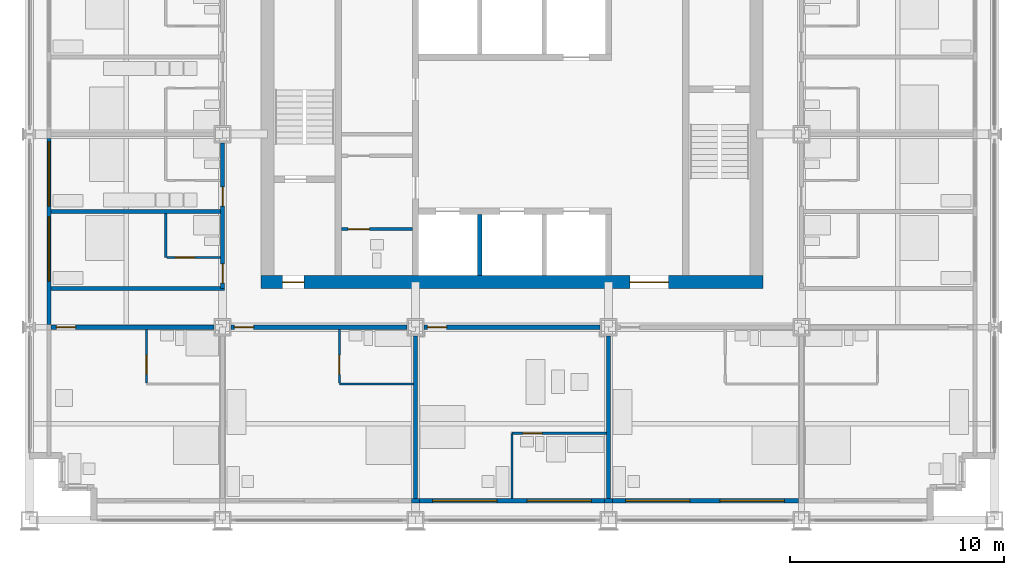
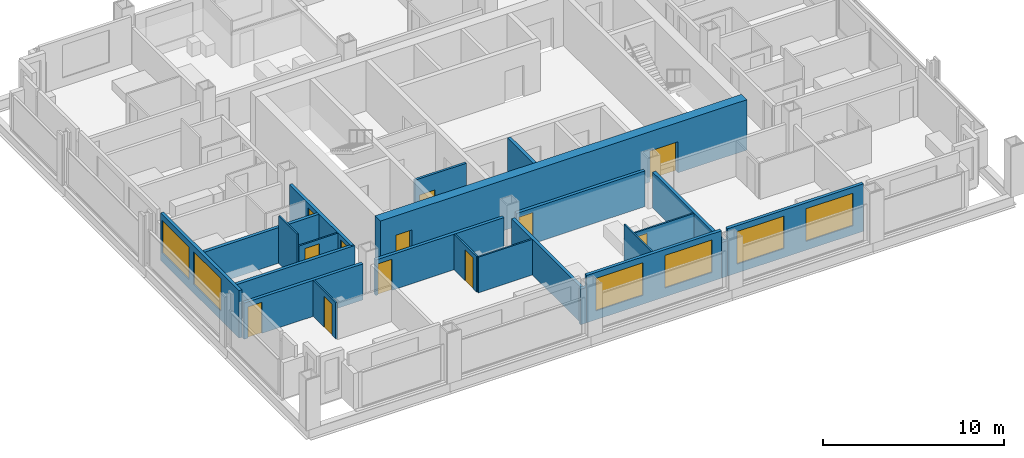
# One storey, part 9 of 16: 23 walls, 12 doors, 6 windows, 18 openings.
"""IFC4 building model written with IfcOpenShell, lengths in metres."""

from ifc_helpers import new_model, si_unit, direction, frame, frame_2d, origin, place, context, subcontext, project, spatial, rectangle, extrude, material, layer, layer_set, type_object, element, fill, save


model = new_model("IFC4")

# Units and contexts
model_context = context("Model", 3, precision=1e-05, world=origin(), true_north=direction((0.0, 1.0)))
body_context = subcontext(model_context, "Body", "Model", "MODEL_VIEW")
ifc_project = project(units=[si_unit("LENGTHUNIT", "METRE"), si_unit("AREAUNIT", "SQUARE_METRE"), si_unit("VOLUMEUNIT", "CUBIC_METRE"), si_unit("PLANEANGLEUNIT", "RADIAN"), si_unit("MASSUNIT", "GRAM", prefix="KILO")], contexts=[model_context])

# Site, building, storey
site_placement = place(None, origin())
site = spatial("IfcSite", under=ifc_project, at=site_placement, CompositionType="ELEMENT")
building_placement = place(site_placement, origin())
building = spatial("IfcBuilding", under=site, at=building_placement, Name="Loomwork Tower", CompositionType="ELEMENT")
storey_placement = place(building_placement, frame((0.0, 0.0, 107.800048828125)))
storey = spatial("IfcBuildingStorey", under=building, at=storey_placement, Name="L28", CompositionType="ELEMENT", Elevation=107.800048828125)

# Wall, openings, doors
ifc_material_1 = material(Name="Concrete 14000 psi (97 MPa)", Category="concrete")
ifc_layer_1 = layer(ifc_material_1, 0.60009765625)
ifc_layer_set_1 = layer_set([ifc_layer_1], Name="Core shear wall 600")
wall_type_1 = type_object("IfcWallType", Name="Core shear wall 600", PredefinedType="SHEAR", material=ifc_layer_set_1)
wall_1_placement = place(storey_placement, frame((10.800048828125, 11.10009765625, 0.0), z_axis=(0.0, 0.0, 1.0), x_axis=(1.0, 0.0, 0.0)))
wall_1 = element("IfcWall", 1, at=wall_1_placement, inside=storey, type_object=wall_type_1, Name="Core wall south L28", PredefinedType="SHEAR", context=body_context, shape_type="SweptSolid", body=[
    extrude(rectangle(XDim=23.39990234375, YDim=0.60009765625, at=frame_2d((11.699951171875, 0.0))), origin(), (0.0, 0.0, 1.0), 3.39990234375),
])
opening_1_placement = place(wall_1_placement, frame((1.0, 0.0, 0.0)))
opening_1 = element("IfcOpeningElement", 2, at=opening_1_placement, cuts=wall_1, Name="Opening D4", PredefinedType="OPENING", context=body_context, shape_type="SweptSolid", body=[
    extrude(rectangle(XDim=1.0, YDim=2.10009765625, at=frame_2d((0.5, 1.050048828125))), frame((0.0, 0.31005859375, 0.0), z_axis=(0.0, -1.0, 0.0), x_axis=(1.0, 0.0, 0.0)), (0.0, 0.0, 1.0), 0.6201171875),
])
opening_2_placement = place(wall_1_placement, frame((17.199951171875, 0.0, 0.0)))
opening_2 = element("IfcOpeningElement", 3, at=opening_2_placement, cuts=wall_1, Name="Opening D6", PredefinedType="OPENING", context=body_context, shape_type="SweptSolid", body=[
    extrude(rectangle(XDim=1.800048828125, YDim=2.10009765625, at=frame_2d((0.89990234375, 1.050048828125))), frame((0.0, 0.31005859375, 0.0), z_axis=(0.0, -1.0, 0.0), x_axis=(1.0, 0.0, 0.0)), (0.0, 0.0, 1.0), 0.6201171875),
])
ifc_material_2 = material(Name="Hollow metal door and frame")
door_type_1 = type_object("IfcDoorType", Name="Lobby passage double door 1800", OperationType="DOUBLE_DOOR_SINGLE_SWING", PredefinedType="DOOR", material=ifc_material_2)
door_1_placement = place(opening_2_placement, origin())
door_1 = element("IfcDoor", 4, at=door_1_placement, inside=storey, type_object=door_type_1, Name="Lobby passage door south", OperationType="DOUBLE_DOOR_SINGLE_SWING", OverallHeight=2.10009765625, OverallWidth=1.800048828125, PredefinedType="DOOR", context=body_context, shape_type="SweptSolid", body=[
    extrude(rectangle(XDim=1.800048828125, YDim=2.10009765625, at=frame_2d((0.89990234375, 1.050048828125))), frame((0.0, 0.02490234375, 0.0), z_axis=(0.0, -1.0, 0.0), x_axis=(1.0, 0.0, 0.0)), (0.0, 0.0, 1.0), 0.050048828125),
])
fill(opening_2, door_1)
ifc_material_3 = material(Name="Hollow metal door and frame")
door_type_2 = type_object("IfcDoorType", Name="Stair door 1000", OperationType="SINGLE_SWING_RIGHT", PredefinedType="DOOR", material=ifc_material_3)
door_2_placement = place(opening_1_placement, origin())
door_2 = element("IfcDoor", 5, at=door_2_placement, inside=storey, type_object=door_type_2, Name="Stair A vestibule door", OperationType="SINGLE_SWING_LEFT", OverallHeight=2.10009765625, OverallWidth=1.0, PredefinedType="DOOR", context=body_context, shape_type="SweptSolid", body=[
    extrude(rectangle(XDim=1.0, YDim=2.10009765625, at=frame_2d((0.5, 1.050048828125))), frame((0.0, 0.02490234375, 0.0), z_axis=(0.0, -1.0, 0.0), x_axis=(1.0, 0.0, 0.0)), (0.0, 0.0, 1.0), 0.050048828125),
])
fill(opening_1, door_2)

# Wall, opening, door
ifc_material_4 = material(Name="Gypsum board on steel studs, one-hour", Category="steel")
ifc_layer_2 = layer(ifc_material_4, 0.199951171875)
ifc_layer_set_2 = layer_set([ifc_layer_2], Name="Corridor wall 200")
wall_type_2 = type_object("IfcWallType", Name="Corridor wall 200", PredefinedType="PARTITIONING", material=ifc_layer_set_2)
wall_2_placement = place(storey_placement, frame((1.0, 9.0, 0.0), z_axis=(0.0, 0.0, 1.0), x_axis=(1.0, 0.0, 0.0)))
wall_2 = element("IfcWall", 6, at=wall_2_placement, inside=storey, type_object=wall_type_2, Name="South corridor wall 1", PredefinedType="PARTITIONING", context=body_context, shape_type="SweptSolid", body=[
    extrude(rectangle(XDim=7.60009765625, YDim=0.199951171875, at=frame_2d((3.800048828125, 0.0))), origin(), (0.0, 0.0, 1.0), 2.43798828125),
])
opening_3_placement = place(wall_2_placement, frame((0.25, 0.0, 0.0)))
opening_3 = element("IfcOpeningElement", 7, at=opening_3_placement, cuts=wall_2, Name="Opening D1", PredefinedType="OPENING", context=body_context, shape_type="SweptSolid", body=[
    extrude(rectangle(XDim=0.89990234375, YDim=2.10009765625, at=frame_2d((0.449951171875, 1.050048828125))), frame((0.0, 0.10986328125, 0.0), z_axis=(0.0, -1.0, 0.0), x_axis=(1.0, 0.0, 0.0)), (0.0, 0.0, 1.0), 0.219970703125),
])
ifc_material_5 = material(Name="Hollow metal door and frame")
door_type_3 = type_object("IfcDoorType", Name="Guest room entry door 900", OperationType="SINGLE_SWING_LEFT", PredefinedType="DOOR", material=ifc_material_5)
door_3_placement = place(opening_3_placement, frame((0.89990234375, 0.0, 0.0), z_axis=(0.0, 0.0, 1.0), x_axis=(-1.0, 0.0, 0.0)))
door_3 = element("IfcDoor", 8, at=door_3_placement, inside=storey, type_object=door_type_3, Name="Guest room entry door L28 1", OperationType="SINGLE_SWING_RIGHT", OverallHeight=2.10009765625, OverallWidth=0.89990234375, PredefinedType="DOOR", context=body_context, shape_type="SweptSolid", body=[
    extrude(rectangle(XDim=0.89990234375, YDim=2.10009765625, at=frame_2d((0.449951171875, 1.050048828125))), frame((0.0, 0.02490234375, 0.0), z_axis=(0.0, -1.0, 0.0), x_axis=(1.0, 0.0, 0.0)), (0.0, 0.0, 1.0), 0.050048828125),
])
fill(opening_3, door_3)

wall_3_placement = place(storey_placement, frame((9.39990234375, 9.0, 0.0), z_axis=(0.0, 0.0, 1.0), x_axis=(1.0, 0.0, 0.0)))
wall_3 = element("IfcWall", 9, at=wall_3_placement, inside=storey, type_object=wall_type_2, Name="South corridor wall 2", PredefinedType="PARTITIONING", context=body_context, shape_type="SweptSolid", body=[
    extrude(rectangle(XDim=8.2001953125, YDim=0.199951171875, at=frame_2d((4.10009765625, 0.0))), origin(), (0.0, 0.0, 1.0), 2.405029296875),
])
opening_4_placement = place(wall_3_placement, frame((0.14990234375, 0.0, 0.0)))
opening_4 = element("IfcOpeningElement", 10, at=opening_4_placement, cuts=wall_3, Name="Opening D1", PredefinedType="OPENING", context=body_context, shape_type="SweptSolid", body=[
    extrude(rectangle(XDim=0.89990234375, YDim=2.10009765625, at=frame_2d((0.449951171875, 1.050048828125))), frame((0.0, 0.10986328125, 0.0), z_axis=(0.0, -1.0, 0.0), x_axis=(1.0, 0.0, 0.0)), (0.0, 0.0, 1.0), 0.219970703125),
])
door_4_placement = place(opening_4_placement, frame((0.89990234375, 0.0, 0.0), z_axis=(0.0, 0.0, 1.0), x_axis=(-1.0, 0.0, 0.0)))
door_4 = element("IfcDoor", 11, at=door_4_placement, inside=storey, type_object=door_type_3, Name="Guest room entry door L28 2", OperationType="SINGLE_SWING_RIGHT", OverallHeight=2.10009765625, OverallWidth=0.89990234375, PredefinedType="DOOR", context=body_context, shape_type="SweptSolid", body=[
    extrude(rectangle(XDim=0.89990234375, YDim=2.10009765625, at=frame_2d((0.449951171875, 1.050048828125))), frame((0.0, 0.02490234375, 0.0), z_axis=(0.0, -1.0, 0.0), x_axis=(1.0, 0.0, 0.0)), (0.0, 0.0, 1.0), 0.050048828125),
])
fill(opening_4, door_4)

wall_4_placement = place(storey_placement, frame((18.39990234375, 9.0, 0.0), z_axis=(0.0, 0.0, 1.0), x_axis=(1.0, 0.0, 0.0)))
wall_4 = element("IfcWall", 12, at=wall_4_placement, inside=storey, type_object=wall_type_2, Name="South corridor wall 3", PredefinedType="PARTITIONING", context=body_context, shape_type="SweptSolid", body=[
    extrude(rectangle(XDim=8.2001953125, YDim=0.199951171875, at=frame_2d((4.10009765625, 0.0))), origin(), (0.0, 0.0, 1.0), 2.405029296875),
])
opening_5_placement = place(wall_4_placement, frame((0.14990234375, 0.0, 0.0)))
opening_5 = element("IfcOpeningElement", 13, at=opening_5_placement, cuts=wall_4, Name="Opening D1", PredefinedType="OPENING", context=body_context, shape_type="SweptSolid", body=[
    extrude(rectangle(XDim=0.89990234375, YDim=2.10009765625, at=frame_2d((0.449951171875, 1.050048828125))), frame((0.0, 0.10986328125, 0.0), z_axis=(0.0, -1.0, 0.0), x_axis=(1.0, 0.0, 0.0)), (0.0, 0.0, 1.0), 0.219970703125),
])
door_5_placement = place(opening_5_placement, frame((0.89990234375, 0.0, 0.0), z_axis=(0.0, 0.0, 1.0), x_axis=(-1.0, 0.0, 0.0)))
door_5 = element("IfcDoor", 14, at=door_5_placement, inside=storey, type_object=door_type_3, Name="Guest room entry door L28 3", OperationType="SINGLE_SWING_RIGHT", OverallHeight=2.10009765625, OverallWidth=0.89990234375, PredefinedType="DOOR", context=body_context, shape_type="SweptSolid", body=[
    extrude(rectangle(XDim=0.89990234375, YDim=2.10009765625, at=frame_2d((0.449951171875, 1.050048828125))), frame((0.0, 0.02490234375, 0.0), z_axis=(0.0, -1.0, 0.0), x_axis=(1.0, 0.0, 0.0)), (0.0, 0.0, 1.0), 0.050048828125),
])
fill(opening_5, door_5)

# Wall, openings, doors
wall_5_placement = place(storey_placement, frame((9.0, 10.800048828125, 0.0), z_axis=(0.0, 0.0, 1.0), x_axis=(0.0, 1.0, 0.0)))
wall_5 = element("IfcWall", 15, at=wall_5_placement, inside=storey, type_object=wall_type_2, Name="West corridor wall 1", PredefinedType="PARTITIONING", context=body_context, shape_type="SweptSolid", body=[
    extrude(rectangle(XDim=6.800048828125, YDim=0.199951171875, at=frame_2d((3.39990234375, 0.0))), origin(), (0.0, 0.0, 1.0), 2.405029296875),
])
opening_6_placement = place(wall_5_placement, frame((0.25, 0.0, 0.0)))
opening_6 = element("IfcOpeningElement", 16, at=opening_6_placement, cuts=wall_5, Name="Opening D1", PredefinedType="OPENING", context=body_context, shape_type="SweptSolid", body=[
    extrude(rectangle(XDim=0.89990234375, YDim=2.10009765625, at=frame_2d((0.449951171875, 1.050048828125))), frame((0.0, 0.10986328125, 0.0), z_axis=(0.0, -1.0, 0.0), x_axis=(1.0, 0.0, 0.0)), (0.0, 0.0, 1.0), 0.219970703125),
])
opening_7_placement = place(wall_5_placement, frame((3.85009765625, 0.0, 0.0)))
opening_7 = element("IfcOpeningElement", 17, at=opening_7_placement, cuts=wall_5, Name="Opening D1", PredefinedType="OPENING", context=body_context, shape_type="SweptSolid", body=[
    extrude(rectangle(XDim=0.89990234375, YDim=2.10009765625, at=frame_2d((0.449951171875, 1.050048828125))), frame((0.0, 0.10986328125, 0.0), z_axis=(0.0, -1.0, 0.0), x_axis=(1.0, 0.0, 0.0)), (0.0, 0.0, 1.0), 0.219970703125),
])
door_6_placement = place(opening_6_placement, origin())
door_6 = element("IfcDoor", 18, at=door_6_placement, inside=storey, type_object=door_type_3, Name="Guest room entry door L28 11", OperationType="SINGLE_SWING_LEFT", OverallHeight=2.10009765625, OverallWidth=0.89990234375, PredefinedType="DOOR", context=body_context, shape_type="SweptSolid", body=[
    extrude(rectangle(XDim=0.89990234375, YDim=2.10009765625, at=frame_2d((0.449951171875, 1.050048828125))), frame((0.0, 0.02490234375, 0.0), z_axis=(0.0, -1.0, 0.0), x_axis=(1.0, 0.0, 0.0)), (0.0, 0.0, 1.0), 0.050048828125),
])
fill(opening_6, door_6)
door_7_placement = place(opening_7_placement, origin())
door_7 = element("IfcDoor", 19, at=door_7_placement, inside=storey, type_object=door_type_3, Name="Guest room entry door L28 12", OperationType="SINGLE_SWING_LEFT", OverallHeight=2.10009765625, OverallWidth=0.89990234375, PredefinedType="DOOR", context=body_context, shape_type="SweptSolid", body=[
    extrude(rectangle(XDim=0.89990234375, YDim=2.10009765625, at=frame_2d((0.449951171875, 1.050048828125))), frame((0.0, 0.02490234375, 0.0), z_axis=(0.0, -1.0, 0.0), x_axis=(1.0, 0.0, 0.0)), (0.0, 0.0, 1.0), 0.050048828125),
])
fill(opening_7, door_7)

# Wall
wall_6_placement = place(storey_placement, frame((1.0, 10.800048828125, 0.0), z_axis=(0.0, 0.0, 1.0), x_axis=(1.0, 0.0, 0.0)))
element("IfcWall", 20, at=wall_6_placement, inside=storey, type_object=wall_type_2, Name="West band end wall S", PredefinedType="PARTITIONING", context=body_context, shape_type="SweptSolid", body=[
    extrude(rectangle(XDim=8.10009765625, YDim=0.199951171875, at=frame_2d((4.050048828125, 0.0))), origin(), (0.0, 0.0, 1.0), 2.404052734375),
])

# Wall, opening, door
ifc_material_6 = material(Name="Cement board on steel studs", Category="steel")
ifc_layer_3 = layer(ifc_material_6, 0.10009765625)
ifc_layer_set_3 = layer_set([ifc_layer_3], Name="En-suite partition 100")
wall_type_3 = type_object("IfcWallType", Name="En-suite partition 100", PredefinedType="PARTITIONING", material=ifc_layer_set_3)
wall_7_placement = place(storey_placement, frame((5.449951171875, 8.89990234375, 0.0), z_axis=(0.0, 0.0, 1.0), x_axis=(0.0, -1.0, 0.0)))
wall_7 = element("IfcWall", 21, at=wall_7_placement, inside=storey, type_object=wall_type_3, Name="En-suite side wall L28 room 1", PredefinedType="PARTITIONING", context=body_context, shape_type="SweptSolid", body=[
    extrude(rectangle(XDim=2.5, YDim=0.10009765625, at=frame_2d((1.25, 0.0))), origin(), (0.0, 0.0, 1.0), 2.43798828125),
])
opening_8_placement = place(wall_7_placement, frame((1.199951171875, 0.0, 0.0)))
opening_8 = element("IfcOpeningElement", 22, at=opening_8_placement, cuts=wall_7, Name="Opening D3", PredefinedType="OPENING", context=body_context, shape_type="SweptSolid", body=[
    extrude(rectangle(XDim=0.89990234375, YDim=2.10009765625, at=frame_2d((0.449951171875, 1.050048828125))), frame((0.0, 0.06005859375, 0.0), z_axis=(0.0, -1.0, 0.0), x_axis=(1.0, 0.0, 0.0)), (0.0, 0.0, 1.0), 0.1201171875),
])
ifc_material_7 = material(Name="Hollow metal door and frame")
door_type_4 = type_object("IfcDoorType", Name="Accessible en-suite door 900", OperationType="SLIDING_TO_LEFT", PredefinedType="DOOR", material=ifc_material_7)
door_8_placement = place(opening_8_placement, origin())
door_8 = element("IfcDoor", 23, at=door_8_placement, inside=storey, type_object=door_type_4, Name="Accessible en-suite door room 1", OperationType="SLIDING_TO_LEFT", OverallHeight=2.10009765625, OverallWidth=0.89990234375, PredefinedType="DOOR", context=body_context, shape_type="SweptSolid", body=[
    extrude(rectangle(XDim=0.89990234375, YDim=2.10009765625, at=frame_2d((0.449951171875, 1.050048828125))), frame((0.0, 0.02490234375, 0.0), z_axis=(0.0, -1.0, 0.0), x_axis=(1.0, 0.0, 0.0)), (0.0, 0.0, 1.0), 0.050048828125),
])
fill(opening_8, door_8)

# Wall
wall_8_placement = place(storey_placement, frame((14.449951171875, 6.35009765625, 0.0), z_axis=(0.0, 0.0, 1.0), x_axis=(1.0, 0.0, 0.0)))
element("IfcWall", 24, at=wall_8_placement, inside=storey, type_object=wall_type_3, Name="En-suite wall L28 room 2", PredefinedType="PARTITIONING", context=body_context, shape_type="SweptSolid", body=[
    extrude(rectangle(XDim=3.449951171875, YDim=0.10009765625, at=frame_2d((1.72509765625, 0.0))), origin(), (0.0, 0.0, 1.0), 2.404052734375),
])

# Wall, opening, door
wall_9_placement = place(storey_placement, frame((14.449951171875, 8.89990234375, 0.0), z_axis=(0.0, 0.0, 1.0), x_axis=(0.0, -1.0, 0.0)))
wall_9 = element("IfcWall", 25, at=wall_9_placement, inside=storey, type_object=wall_type_3, Name="En-suite side wall L28 room 2", PredefinedType="PARTITIONING", context=body_context, shape_type="SweptSolid", body=[
    extrude(rectangle(XDim=2.5, YDim=0.10009765625, at=frame_2d((1.25, 0.0))), origin(), (0.0, 0.0, 1.0), 2.404052734375),
])
opening_9_placement = place(wall_9_placement, frame((1.199951171875, 0.0, 0.0)))
opening_9 = element("IfcOpeningElement", 26, at=opening_9_placement, cuts=wall_9, Name="Opening D2", PredefinedType="OPENING", context=body_context, shape_type="SweptSolid", body=[
    extrude(rectangle(XDim=0.89990234375, YDim=2.10009765625, at=frame_2d((0.449951171875, 1.050048828125))), frame((0.0, 0.06005859375, 0.0), z_axis=(0.0, -1.0, 0.0), x_axis=(1.0, 0.0, 0.0)), (0.0, 0.0, 1.0), 0.1201171875),
])
ifc_material_8 = material(Name="Hollow metal door and frame")
door_type_5 = type_object("IfcDoorType", Name="En-suite door 900", OperationType="SINGLE_SWING_LEFT", PredefinedType="DOOR", material=ifc_material_8)
door_9_placement = place(opening_9_placement, origin())
door_9 = element("IfcDoor", 27, at=door_9_placement, inside=storey, type_object=door_type_5, Name="En-suite door room 2", OperationType="SINGLE_SWING_RIGHT", OverallHeight=2.10009765625, OverallWidth=0.89990234375, PredefinedType="DOOR", context=body_context, shape_type="SweptSolid", body=[
    extrude(rectangle(XDim=0.89990234375, YDim=2.10009765625, at=frame_2d((0.449951171875, 1.050048828125))), frame((0.0, 0.02490234375, 0.0), z_axis=(0.0, -1.0, 0.0), x_axis=(1.0, 0.0, 0.0)), (0.0, 0.0, 1.0), 0.050048828125),
])
fill(opening_9, door_9)

wall_10_placement = place(storey_placement, frame((22.5, 4.050048828125, 0.0), z_axis=(0.0, 0.0, 1.0), x_axis=(1.0, 0.0, 0.0)))
wall_10 = element("IfcWall", 28, at=wall_10_placement, inside=storey, type_object=wall_type_3, Name="Spa bathroom wall L28 room 3", PredefinedType="PARTITIONING", context=body_context, shape_type="SweptSolid", body=[
    extrude(rectangle(XDim=4.39990234375, YDim=0.10009765625, at=frame_2d((2.199951171875, 0.0))), origin(), (0.0, 0.0, 1.0), 2.404052734375),
])
opening_10_placement = place(wall_10_placement, frame((0.5, 0.0, 0.0)))
opening_10 = element("IfcOpeningElement", 29, at=opening_10_placement, cuts=wall_10, Name="Opening D2", PredefinedType="OPENING", context=body_context, shape_type="SweptSolid", body=[
    extrude(rectangle(XDim=0.89990234375, YDim=2.10009765625, at=frame_2d((0.449951171875, 1.050048828125))), frame((0.0, 0.06005859375, 0.0), z_axis=(0.0, -1.0, 0.0), x_axis=(1.0, 0.0, 0.0)), (0.0, 0.0, 1.0), 0.1201171875),
])
door_10_placement = place(opening_10_placement, frame((0.89990234375, 0.0, 0.0), z_axis=(0.0, 0.0, 1.0), x_axis=(-1.0, 0.0, 0.0)))
door_10 = element("IfcDoor", 30, at=door_10_placement, inside=storey, type_object=door_type_5, Name="Spa bathroom door room 3", OperationType="SINGLE_SWING_RIGHT", OverallHeight=2.10009765625, OverallWidth=0.89990234375, PredefinedType="DOOR", context=body_context, shape_type="SweptSolid", body=[
    extrude(rectangle(XDim=0.89990234375, YDim=2.10009765625, at=frame_2d((0.449951171875, 1.050048828125))), frame((0.0, 0.02490234375, 0.0), z_axis=(0.0, -1.0, 0.0), x_axis=(1.0, 0.0, 0.0)), (0.0, 0.0, 1.0), 0.050048828125),
])
fill(opening_10, door_10)

# Walls
wall_11_placement = place(storey_placement, frame((22.5, 4.050048828125, 0.0), z_axis=(0.0, 0.0, 1.0), x_axis=(0.0, -1.0, 0.0)))
element("IfcWall", 31, at=wall_11_placement, inside=storey, type_object=wall_type_3, Name="Spa bathroom side wall L28 room 3", PredefinedType="PARTITIONING", context=body_context, shape_type="SweptSolid", body=[
    extrude(rectangle(XDim=3.050048828125, YDim=0.10009765625, at=frame_2d((1.52490234375, 0.0))), origin(), (0.0, 0.0, 1.0), 3.199951171875),
])
wall_12_placement = place(storey_placement, frame((6.35009765625, 12.25, 0.0), z_axis=(0.0, 0.0, 1.0), x_axis=(0.0, 1.0, 0.0)))
element("IfcWall", 32, at=wall_12_placement, inside=storey, type_object=wall_type_3, Name="En-suite wall L28 room 11", PredefinedType="PARTITIONING", context=body_context, shape_type="SweptSolid", body=[
    extrude(rectangle(XDim=2.050048828125, YDim=0.10009765625, at=frame_2d((1.02490234375, 0.0))), origin(), (0.0, 0.0, 1.0), 3.199951171875),
])

# Wall, opening, door
wall_13_placement = place(storey_placement, frame((8.89990234375, 12.25, 0.0), z_axis=(0.0, 0.0, 1.0), x_axis=(-1.0, 0.0, 0.0)))
wall_13 = element("IfcWall", 33, at=wall_13_placement, inside=storey, type_object=wall_type_3, Name="En-suite side wall L28 room 11", PredefinedType="PARTITIONING", context=body_context, shape_type="SweptSolid", body=[
    extrude(rectangle(XDim=2.5, YDim=0.10009765625, at=frame_2d((1.25, 0.0))), origin(), (0.0, 0.0, 1.0), 2.404052734375),
])
opening_11_placement = place(wall_13_placement, frame((1.199951171875, 0.0, 0.0)))
opening_11 = element("IfcOpeningElement", 34, at=opening_11_placement, cuts=wall_13, Name="Opening D2", PredefinedType="OPENING", context=body_context, shape_type="SweptSolid", body=[
    extrude(rectangle(XDim=0.89990234375, YDim=2.10009765625, at=frame_2d((0.449951171875, 1.050048828125))), frame((0.0, 0.06005859375, 0.0), z_axis=(0.0, -1.0, 0.0), x_axis=(1.0, 0.0, 0.0)), (0.0, 0.0, 1.0), 0.1201171875),
])
door_11_placement = place(opening_11_placement, frame((0.89990234375, 0.0, 0.0), z_axis=(0.0, 0.0, 1.0), x_axis=(-1.0, 0.0, 0.0)))
door_11 = element("IfcDoor", 35, at=door_11_placement, inside=storey, type_object=door_type_5, Name="En-suite door room 11", OperationType="SINGLE_SWING_LEFT", OverallHeight=2.10009765625, OverallWidth=0.89990234375, PredefinedType="DOOR", context=body_context, shape_type="SweptSolid", body=[
    extrude(rectangle(XDim=0.89990234375, YDim=2.10009765625, at=frame_2d((0.449951171875, 1.050048828125))), frame((0.0, 0.02490234375, 0.0), z_axis=(0.0, -1.0, 0.0), x_axis=(1.0, 0.0, 0.0)), (0.0, 0.0, 1.0), 0.050048828125),
])
fill(opening_11, door_11)

# Walls
ifc_material_9 = material(Name="Gypsum board on steel studs, acoustic", Category="steel")
ifc_layer_4 = layer(ifc_material_9, 0.199951171875)
ifc_layer_set_4 = layer_set([ifc_layer_4], Name="Guest room party wall 200")
wall_type_4 = type_object("IfcWallType", Name="Guest room party wall 200", PredefinedType="PARTITIONING", material=ifc_layer_set_4)
for number, where, z_axis, x_axis, name in (
    (36, (18.0, 8.60009765625, 0.0), (0.0, 0.0, 1.0), (0.0, -1.0, 0.0), "Guest room party wall S 18"),
    (37, (27.0, 8.60009765625, 0.0), (0.0, 0.0, 1.0), (0.0, -1.0, 0.0), "Guest room party wall S 27"),
):
    element("IfcWall", number, at=place(storey_placement, frame(where, z_axis=z_axis, x_axis=x_axis)), inside=storey, type_object=wall_type_4, Name=name, PredefinedType="PARTITIONING", context=body_context, shape_type="SweptSolid", body=[
        extrude(rectangle(XDim=7.60009765625, YDim=0.199951171875, at=frame_2d((3.800048828125, 0.0))), origin(), (0.0, 0.0, 1.0), 2.405029296875),
    ])
wall_14_placement = place(storey_placement, frame((8.89990234375, 14.39990234375, 0.0), z_axis=(0.0, 0.0, 1.0), x_axis=(-1.0, 0.0, 0.0)))
element("IfcWall", 38, at=wall_14_placement, inside=storey, type_object=wall_type_4, Name="Guest room party wall W 14.4", PredefinedType="PARTITIONING", context=body_context, shape_type="SweptSolid", body=[
    extrude(rectangle(XDim=7.89990234375, YDim=0.199951171875, at=frame_2d((3.949951171875, 0.0))), origin(), (0.0, 0.0, 1.0), 2.404052734375),
])
ifc_material_10 = material(Name="Insulated steel stud wall with gypsum lining", Category="steel")
ifc_layer_5 = layer(ifc_material_10, 0.199951171875)
ifc_layer_set_5 = layer_set([ifc_layer_5], Name="Inner skin wall 200")
wall_type_5 = type_object("IfcWallType", Name="Inner skin wall 200", PredefinedType="SOLIDWALL", material=ifc_layer_set_5)
wall_15_placement = place(storey_placement, frame((17.80615234375, 0.89990234375, 0.0), z_axis=(0.0, 0.0, 1.0), x_axis=(1.0, 0.0, 0.0)))
element("IfcWall", 39, at=wall_15_placement, inside=storey, type_object=wall_type_5, Name="Inner skin wall S bay 4", PredefinedType="SOLIDWALL", context=body_context, shape_type="SweptSolid", body=[
    extrude(rectangle(XDim=0.3876953125, YDim=0.199951171875, at=frame_2d((0.19384765625, 0.0))), origin(), (0.0, 0.0, 1.0), 2.404052734375),
])

# Wall, openings, windows
wall_16_placement = place(storey_placement, frame((18.19384765625, 0.89990234375, 0.0), z_axis=(0.0, 0.0, 1.0), x_axis=(1.0, 0.0, 0.0)))
wall_16 = element("IfcWall", 40, at=wall_16_placement, inside=storey, type_object=wall_type_5, Name="Inner skin wall S bay 5", PredefinedType="SOLIDWALL", context=body_context, shape_type="SweptSolid", body=[
    extrude(rectangle(XDim=8.6123046875, YDim=0.199951171875, at=frame_2d((4.30615234375, 0.0))), origin(), (0.0, 0.0, 1.0), 3.199951171875),
])
opening_12_placement = place(wall_16_placement, frame((0.606201171875, 0.0, 0.60009765625)))
opening_12 = element("IfcOpeningElement", 41, at=opening_12_placement, cuts=wall_16, Name="Opening CH1", PredefinedType="OPENING", context=body_context, shape_type="SweptSolid", body=[
    extrude(rectangle(XDim=3.0, YDim=2.199951171875, at=frame_2d((1.5, 1.10009765625))), frame((0.0, 0.10986328125, 0.0), z_axis=(0.0, -1.0, 0.0), x_axis=(1.0, 0.0, 0.0)), (0.0, 0.0, 1.0), 0.219970703125),
])
opening_13_placement = place(wall_16_placement, frame((5.006103515625, 0.0, 0.60009765625)))
opening_13 = element("IfcOpeningElement", 42, at=opening_13_placement, cuts=wall_16, Name="Opening CH1", PredefinedType="OPENING", context=body_context, shape_type="SweptSolid", body=[
    extrude(rectangle(XDim=3.0, YDim=2.199951171875, at=frame_2d((1.5, 1.10009765625))), frame((0.0, 0.10986328125, 0.0), z_axis=(0.0, -1.0, 0.0), x_axis=(1.0, 0.0, 0.0)), (0.0, 0.0, 1.0), 0.219970703125),
])
ifc_material_11 = material(Name="Aluminium frame with clear insulated glass", Category="aluminium")
window_type = type_object("IfcWindowType", Name="Chicago window 3000", PartitioningType="TRIPLE_PANEL_VERTICAL", PredefinedType="WINDOW", material=ifc_material_11)
window_1_placement = place(opening_12_placement, origin())
window_1 = element("IfcWindow", 43, at=window_1_placement, inside=storey, type_object=window_type, Name="Chicago window L28 bay 3", OverallHeight=2.199951171875, OverallWidth=3.0, PartitioningType="TRIPLE_PANEL_VERTICAL", PredefinedType="WINDOW", context=body_context, shape_type="SweptSolid", body=[
    extrude(rectangle(XDim=3.0, YDim=2.199951171875, at=frame_2d((1.5, 1.10009765625))), frame((0.0, 0.030029296875, 0.0), z_axis=(0.0, -1.0, 0.0), x_axis=(1.0, 0.0, 0.0)), (0.0, 0.0, 1.0), 0.06005859375),
])
fill(opening_12, window_1)
window_2_placement = place(opening_13_placement, origin())
window_2 = element("IfcWindow", 44, at=window_2_placement, inside=storey, type_object=window_type, Name="Chicago window L28 bay 3", OverallHeight=2.199951171875, OverallWidth=3.0, PartitioningType="TRIPLE_PANEL_VERTICAL", PredefinedType="WINDOW", context=body_context, shape_type="SweptSolid", body=[
    extrude(rectangle(XDim=3.0, YDim=2.199951171875, at=frame_2d((1.5, 1.10009765625))), frame((0.0, 0.030029296875, 0.0), z_axis=(0.0, -1.0, 0.0), x_axis=(1.0, 0.0, 0.0)), (0.0, 0.0, 1.0), 0.06005859375),
])
fill(opening_13, window_2)

# Wall
wall_17_placement = place(storey_placement, frame((26.80615234375, 0.89990234375, 0.0), z_axis=(0.0, 0.0, 1.0), x_axis=(1.0, 0.0, 0.0)))
element("IfcWall", 45, at=wall_17_placement, inside=storey, type_object=wall_type_5, Name="Inner skin wall S bay 6", PredefinedType="SOLIDWALL", context=body_context, shape_type="SweptSolid", body=[
    extrude(rectangle(XDim=0.3876953125, YDim=0.199951171875, at=frame_2d((0.19384765625, 0.0))), origin(), (0.0, 0.0, 1.0), 2.404052734375),
])

# Wall, openings, windows
wall_18_placement = place(storey_placement, frame((27.19384765625, 0.89990234375, 0.0), z_axis=(0.0, 0.0, 1.0), x_axis=(1.0, 0.0, 0.0)))
wall_18 = element("IfcWall", 46, at=wall_18_placement, inside=storey, type_object=wall_type_5, Name="Inner skin wall S bay 7", PredefinedType="SOLIDWALL", context=body_context, shape_type="SweptSolid", body=[
    extrude(rectangle(XDim=8.670654296875, YDim=0.199951171875, at=frame_2d((4.33544921875, 0.0))), origin(), (0.0, 0.0, 1.0), 3.199951171875),
])
opening_14_placement = place(wall_18_placement, frame((0.606201171875, 0.0, 0.60009765625)))
opening_14 = element("IfcOpeningElement", 47, at=opening_14_placement, cuts=wall_18, Name="Opening CH1", PredefinedType="OPENING", context=body_context, shape_type="SweptSolid", body=[
    extrude(rectangle(XDim=3.0, YDim=2.199951171875, at=frame_2d((1.5, 1.10009765625))), frame((0.0, 0.10986328125, 0.0), z_axis=(0.0, -1.0, 0.0), x_axis=(1.0, 0.0, 0.0)), (0.0, 0.0, 1.0), 0.219970703125),
])
opening_15_placement = place(wall_18_placement, frame((5.006103515625, 0.0, 0.60009765625)))
opening_15 = element("IfcOpeningElement", 48, at=opening_15_placement, cuts=wall_18, Name="Opening CH1", PredefinedType="OPENING", context=body_context, shape_type="SweptSolid", body=[
    extrude(rectangle(XDim=3.0, YDim=2.199951171875, at=frame_2d((1.5, 1.10009765625))), frame((0.0, 0.10986328125, 0.0), z_axis=(0.0, -1.0, 0.0), x_axis=(1.0, 0.0, 0.0)), (0.0, 0.0, 1.0), 0.219970703125),
])
window_3_placement = place(opening_14_placement, origin())
window_3 = element("IfcWindow", 49, at=window_3_placement, inside=storey, type_object=window_type, Name="Chicago window L28 bay 4", OverallHeight=2.199951171875, OverallWidth=3.0, PartitioningType="TRIPLE_PANEL_VERTICAL", PredefinedType="WINDOW", context=body_context, shape_type="SweptSolid", body=[
    extrude(rectangle(XDim=3.0, YDim=2.199951171875, at=frame_2d((1.5, 1.10009765625))), frame((0.0, 0.030029296875, 0.0), z_axis=(0.0, -1.0, 0.0), x_axis=(1.0, 0.0, 0.0)), (0.0, 0.0, 1.0), 0.06005859375),
])
fill(opening_14, window_3)
window_4_placement = place(opening_15_placement, origin())
window_4 = element("IfcWindow", 50, at=window_4_placement, inside=storey, type_object=window_type, Name="Chicago window L28 bay 4", OverallHeight=2.199951171875, OverallWidth=3.0, PartitioningType="TRIPLE_PANEL_VERTICAL", PredefinedType="WINDOW", context=body_context, shape_type="SweptSolid", body=[
    extrude(rectangle(XDim=3.0, YDim=2.199951171875, at=frame_2d((1.5, 1.10009765625))), frame((0.0, 0.030029296875, 0.0), z_axis=(0.0, -1.0, 0.0), x_axis=(1.0, 0.0, 0.0)), (0.0, 0.0, 1.0), 0.06005859375),
])
fill(opening_15, window_4)

wall_19_placement = place(storey_placement, frame((0.89990234375, 9.13525390625, 0.0), z_axis=(0.0, 0.0, 1.0), x_axis=(0.0, 1.0, 0.0)))
wall_19 = element("IfcWall", 51, at=wall_19_placement, inside=storey, type_object=wall_type_5, Name="Inner skin wall W bay 5", PredefinedType="SOLIDWALL", context=body_context, shape_type="SweptSolid", body=[
    extrude(rectangle(XDim=8.6708984375, YDim=0.199951171875, at=frame_2d((4.33544921875, 0.0))), origin(), (0.0, 0.0, 1.0), 3.199951171875),
])
opening_16_placement = place(wall_19_placement, frame((2.0146484375, 0.0, 0.60009765625)))
opening_16 = element("IfcOpeningElement", 52, at=opening_16_placement, cuts=wall_19, Name="Opening CH1", PredefinedType="OPENING", context=body_context, shape_type="SweptSolid", body=[
    extrude(rectangle(XDim=3.0, YDim=2.199951171875, at=frame_2d((1.5, 1.10009765625))), frame((0.0, 0.10986328125, 0.0), z_axis=(0.0, -1.0, 0.0), x_axis=(1.0, 0.0, 0.0)), (0.0, 0.0, 1.0), 0.219970703125),
])
opening_17_placement = place(wall_19_placement, frame((5.5146484375, 0.0, 0.60009765625)))
opening_17 = element("IfcOpeningElement", 53, at=opening_17_placement, cuts=wall_19, Name="Opening CH1", PredefinedType="OPENING", context=body_context, shape_type="SweptSolid", body=[
    extrude(rectangle(XDim=3.0, YDim=2.199951171875, at=frame_2d((1.5, 1.10009765625))), frame((0.0, 0.10986328125, 0.0), z_axis=(0.0, -1.0, 0.0), x_axis=(1.0, 0.0, 0.0)), (0.0, 0.0, 1.0), 0.219970703125),
])
window_5_placement = place(opening_16_placement, origin())
window_5 = element("IfcWindow", 54, at=window_5_placement, inside=storey, type_object=window_type, Name="Chicago window L28 bay 11", OverallHeight=2.199951171875, OverallWidth=3.0, PartitioningType="TRIPLE_PANEL_VERTICAL", PredefinedType="WINDOW", context=body_context, shape_type="SweptSolid", body=[
    extrude(rectangle(XDim=3.0, YDim=2.199951171875, at=frame_2d((1.5, 1.10009765625))), frame((0.0, 0.030029296875, 0.0), z_axis=(0.0, -1.0, 0.0), x_axis=(1.0, 0.0, 0.0)), (0.0, 0.0, 1.0), 0.06005859375),
])
fill(opening_16, window_5)
window_6_placement = place(opening_17_placement, origin())
window_6 = element("IfcWindow", 55, at=window_6_placement, inside=storey, type_object=window_type, Name="Chicago window L28 bay 11", OverallHeight=2.199951171875, OverallWidth=3.0, PartitioningType="TRIPLE_PANEL_VERTICAL", PredefinedType="WINDOW", context=body_context, shape_type="SweptSolid", body=[
    extrude(rectangle(XDim=3.0, YDim=2.199951171875, at=frame_2d((1.5, 1.10009765625))), frame((0.0, 0.030029296875, 0.0), z_axis=(0.0, -1.0, 0.0), x_axis=(1.0, 0.0, 0.0)), (0.0, 0.0, 1.0), 0.06005859375),
])
fill(opening_17, window_6)

# Wall
ifc_material_12 = material(Name="Concrete 14000 psi (97 MPa)", Category="concrete")
ifc_layer_6 = layer(ifc_material_12, 0.199951171875)
ifc_layer_set_6 = layer_set([ifc_layer_6], Name="Lift shaft wall 200")
wall_type_6 = type_object("IfcWallType", Name="Lift shaft wall 200", PredefinedType="SHEAR", material=ifc_layer_set_6)
wall_20_placement = place(storey_placement, frame((21.0, 11.39990234375, 0.0), z_axis=(0.0, 0.0, 1.0), x_axis=(0.0, 1.0, 0.0)))
element("IfcWall", 56, at=wall_20_placement, inside=storey, type_object=wall_type_6, Name="Lift shaft separation wall south 1 L28", PredefinedType="SHEAR", context=body_context, shape_type="SweptSolid", body=[
    extrude(rectangle(XDim=2.85009765625, YDim=0.199951171875, at=frame_2d((1.425048828125, 0.0))), origin(), (0.0, 0.0, 1.0), 3.39990234375),
])

# Wall, opening, door
ifc_material_13 = material(Name="Gypsum board on steel studs, one-hour", Category="steel")
ifc_layer_7 = layer(ifc_material_13, 0.14990234375)
ifc_layer_set_7 = layer_set([ifc_layer_7], Name="Service partition 150")
wall_type_7 = type_object("IfcWallType", Name="Service partition 150", PredefinedType="PARTITIONING", material=ifc_layer_set_7)
wall_21_placement = place(storey_placement, frame((14.550048828125, 13.574951171875, 0.0), z_axis=(0.0, 0.0, 1.0), x_axis=(1.0, 0.0, 0.0)))
wall_21 = element("IfcWall", 57, at=wall_21_placement, inside=storey, type_object=wall_type_7, Name="Back-of-house partition L28", PredefinedType="PARTITIONING", context=body_context, shape_type="SweptSolid", body=[
    extrude(rectangle(XDim=3.300048828125, YDim=0.14990234375, at=frame_2d((1.64990234375, 0.0))), origin(), (0.0, 0.0, 1.0), 3.199951171875),
])
opening_18_placement = place(wall_21_placement, frame((0.300048828125, 0.0, 0.0)))
opening_18 = element("IfcOpeningElement", 58, at=opening_18_placement, cuts=wall_21, Name="Opening D5", PredefinedType="OPENING", context=body_context, shape_type="SweptSolid", body=[
    extrude(rectangle(XDim=1.0, YDim=2.10009765625, at=frame_2d((0.5, 1.050048828125))), frame((0.0, 0.0849609375, 0.0), z_axis=(0.0, -1.0, 0.0), x_axis=(1.0, 0.0, 0.0)), (0.0, 0.0, 1.0), 0.169921875),
])
ifc_material_14 = material(Name="Hollow metal door and frame")
door_type_6 = type_object("IfcDoorType", Name="Service door 1000", OperationType="SINGLE_SWING_LEFT", PredefinedType="DOOR", material=ifc_material_14)
door_12_placement = place(opening_18_placement, frame((1.0, 0.0, 0.0), z_axis=(0.0, 0.0, 1.0), x_axis=(-1.0, 0.0, 0.0)))
door_12 = element("IfcDoor", 59, at=door_12_placement, inside=storey, type_object=door_type_6, Name="Back-of-house room door", OperationType="SINGLE_SWING_RIGHT", OverallHeight=2.10009765625, OverallWidth=1.0, PredefinedType="DOOR", context=body_context, shape_type="SweptSolid", body=[
    extrude(rectangle(XDim=1.0, YDim=2.10009765625, at=frame_2d((0.5, 1.050048828125))), frame((0.0, 0.02490234375, 0.0), z_axis=(0.0, -1.0, 0.0), x_axis=(1.0, 0.0, 0.0)), (0.0, 0.0, 1.0), 0.050048828125),
])
fill(opening_18, door_12)

save(model, "model.ifc")
